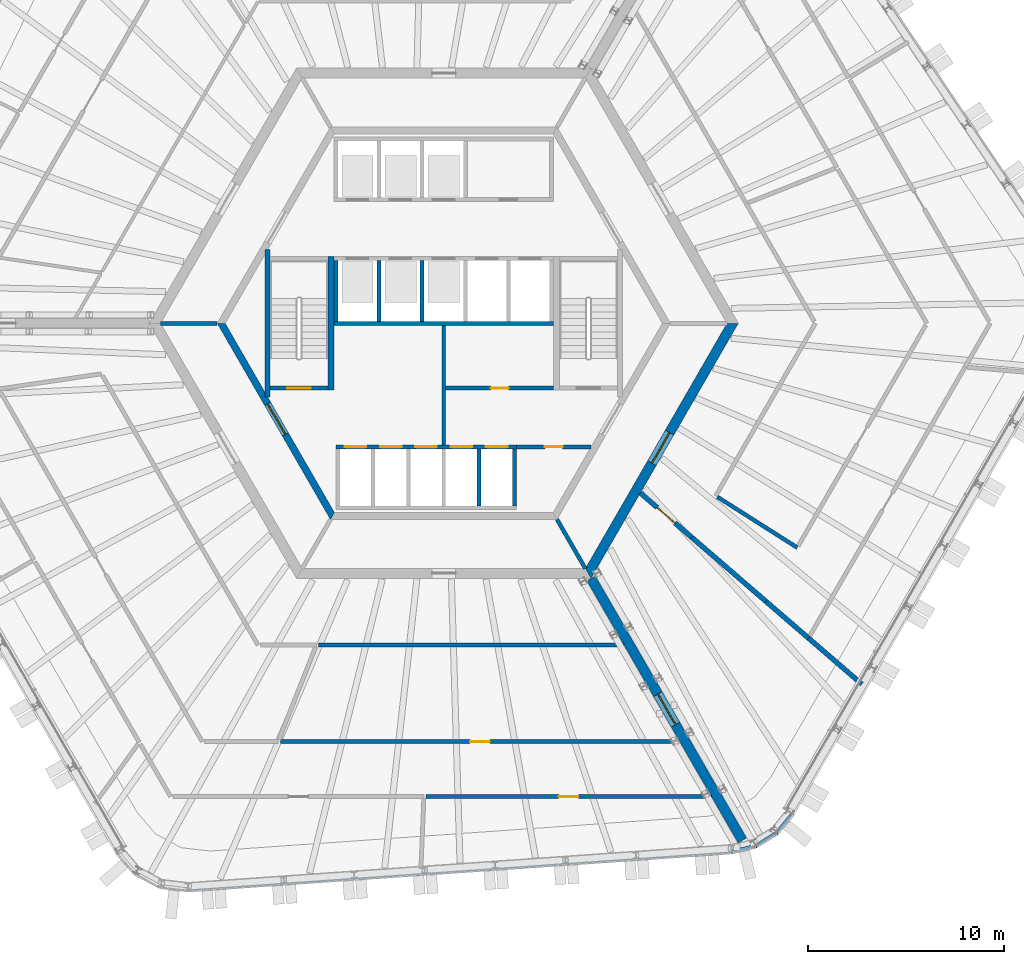
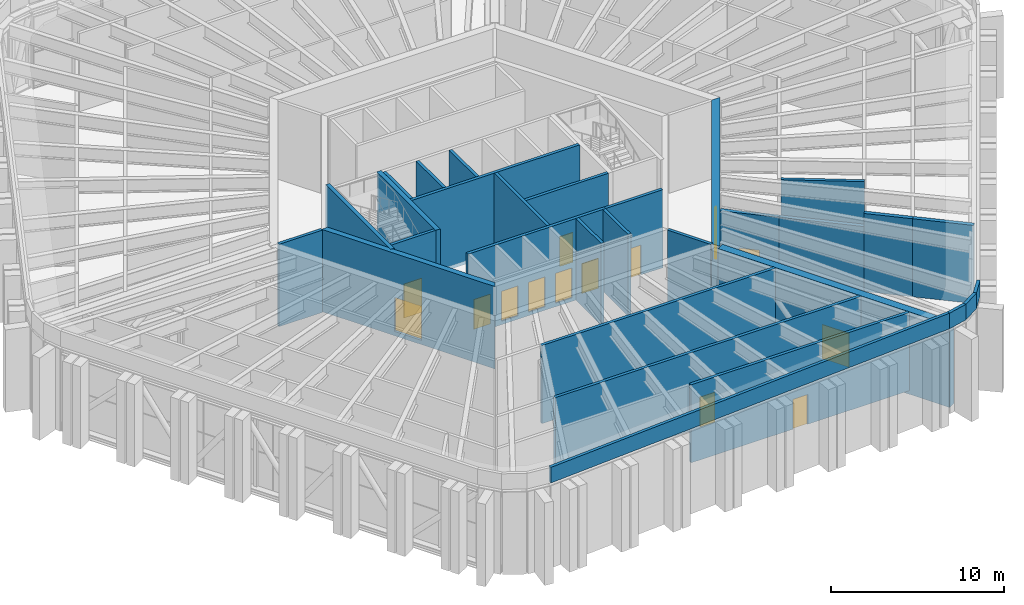
# One storey, part 12 of 24: 30 walls, 14 doors, 14 openings.
"""IFC4 building model written with IfcOpenShell, lengths in metres."""

from ifc_helpers import new_model, si_unit, direction, frame, frame_2d, origin, place, context, subcontext, project, spatial, polyline, rectangle, outline, extrude, material, layer, layer_set, type_object, element, fill, save


model = new_model("IFC4")

# Units and contexts
model_context = context("Model", 3, precision=1e-05, world=origin(), true_north=direction((0.0, 1.0)))
body_context = subcontext(model_context, "Body", "Model", "MODEL_VIEW")
ifc_project = project(units=[si_unit("LENGTHUNIT", "METRE"), si_unit("AREAUNIT", "SQUARE_METRE"), si_unit("VOLUMEUNIT", "CUBIC_METRE"), si_unit("PLANEANGLEUNIT", "RADIAN"), si_unit("MASSUNIT", "GRAM", prefix="KILO")], contexts=[model_context])

# Site, building, storey
site_placement = place(None, origin())
site = spatial("IfcSite", under=ifc_project, at=site_placement, CompositionType="ELEMENT")
building_placement = place(site_placement, origin())
building = spatial("IfcBuilding", under=site, at=building_placement, Name="Tarnside Tower", CompositionType="ELEMENT")
storey_placement = place(building_placement, frame((0.0, 0.0, 250.199951171875)))
storey = spatial("IfcBuildingStorey", under=building, at=storey_placement, Name="L60", CompositionType="ELEMENT", Elevation=250.199951171875)

# Wall, opening, door
ifc_material_1 = material(Name="Concrete C50/60", Category="concrete")
ifc_layer_1 = layer(ifc_material_1, 0.35009765625)
ifc_layer_set_1 = layer_set([ifc_layer_1], Name="Core block wall 350 C50/60")
wall_type_1 = type_object("IfcWallType", Name="Core block wall 350 C50/60", PredefinedType="SHEAR", material=ifc_layer_set_1)
wall_1_placement = place(storey_placement, frame((-11.344970703125, 0.0, -0.300048828125), z_axis=(0.0, 0.0, 1.0), x_axis=(0.499995046907, -0.866028263435, 0.0)))
wall_1 = element("IfcWall", 1, at=wall_1_placement, inside=storey, type_object=wall_type_1, Name="L60 core block wall face 3", PredefinedType="SHEAR", context=body_context, shape_type="SweptSolid", body=[
    extrude(outline(polyline([(-0.10107421875, -0.175048828125), (11.44580078125, -0.175048828125), (11.24365234375, 0.175048828125), (0.10107421875, 0.175048828125), (-0.10107421875, -0.175048828125)])), origin(), (0.0, 0.0, 1.0), 5.800048828125),
])
opening_1_placement = place(wall_1_placement, frame((4.74365234375, 0.0, 0.300048828125)))
opening_1 = element("IfcOpeningElement", 2, at=opening_1_placement, cuts=wall_1, Name="Opening CD-FFL", PredefinedType="OPENING", context=body_context, shape_type="SweptSolid", body=[
    extrude(rectangle(XDim=1.800048828125, YDim=2.39990234375, at=frame_2d((0.89990234375, 1.199951171875))), frame((0.0, 0.18505859375, 0.0), z_axis=(0.0, -1.0, 0.0), x_axis=(1.0, 0.0, 0.0)), (0.0, 0.0, 1.0), 0.3701171875),
])
ifc_material_2 = material(Name="Steel fire door", Category="steel")
door_type_1 = type_object("IfcDoorType", Name="Firefighting lobby double door FD60S 1800x2400", OperationType="NOTDEFINED", PredefinedType="DOOR", material=ifc_material_2)
door_1_placement = place(opening_1_placement, origin())
door_1 = element("IfcDoor", 3, at=door_1_placement, inside=storey, type_object=door_type_1, Name="L60 lobby block door P3", OperationType="DOUBLE_DOOR_SINGLE_SWING", OverallHeight=2.39990234375, OverallWidth=1.800048828125, PredefinedType="DOOR", context=body_context, shape_type="SweptSolid", body=[
    extrude(rectangle(XDim=1.800048828125, YDim=2.39990234375, at=frame_2d((0.89990234375, 1.199951171875))), frame((0.0, 0.02490234375, 0.0), z_axis=(0.0, -1.0, 0.0), x_axis=(1.0, 0.0, 0.0)), (0.0, 0.0, 1.0), 0.050048828125),
])
fill(opening_1, door_1)

ifc_material_3 = material(Name="Concrete C40/50", Category="concrete")
ifc_layer_2 = layer(ifc_material_3, 0.199951171875)
ifc_layer_set_2 = layer_set([ifc_layer_2], Name="Core room partition 200 C40/50")
wall_type_2 = type_object("IfcWallType", Name="Core room partition 200 C40/50", PredefinedType="PARTITIONING", material=ifc_layer_set_2)
wall_2_placement = place(storey_placement, frame((0.10009765625, -3.300048828125, 0.0), z_axis=(0.0, 0.0, 1.0), x_axis=(1.0, 0.0, 0.0)))
wall_2 = element("IfcWall", 4, at=wall_2_placement, inside=storey, type_object=wall_type_2, Name="L60 core partition R3S1", PredefinedType="PARTITIONING", context=body_context, shape_type="SweptSolid", body=[
    extrude(rectangle(XDim=5.5, YDim=0.199951171875, at=frame_2d((2.75, 0.0))), origin(), (0.0, 0.0, 1.0), 5.5),
])
opening_2_placement = place(wall_2_placement, frame((2.300048828125, 0.0, 0.0)))
opening_2 = element("IfcOpeningElement", 5, at=opening_2_placement, cuts=wall_2, Name="Opening CD-room", PredefinedType="OPENING", context=body_context, shape_type="SweptSolid", body=[
    extrude(rectangle(XDim=0.89990234375, YDim=2.10009765625, at=frame_2d((0.449951171875, 1.050048828125))), frame((0.0, 0.10986328125, 0.0), z_axis=(0.0, -1.0, 0.0), x_axis=(1.0, 0.0, 0.0)), (0.0, 0.0, 1.0), 0.219970703125),
])
door_type_2 = type_object("IfcDoorType", Name="Room door FD60 900x2100", OperationType="NOTDEFINED", PredefinedType="DOOR", material=ifc_material_2)
door_2_placement = place(opening_2_placement, origin())
door_2 = element("IfcDoor", 6, at=door_2_placement, inside=storey, type_object=door_type_2, Name="L60 core room door SR1", OperationType="SINGLE_SWING_LEFT", OverallHeight=2.10009765625, OverallWidth=0.89990234375, PredefinedType="DOOR", context=body_context, shape_type="SweptSolid", body=[
    extrude(rectangle(XDim=0.89990234375, YDim=2.10009765625, at=frame_2d((0.449951171875, 1.050048828125))), frame((0.0, 0.02490234375, 0.0), z_axis=(0.0, -1.0, 0.0), x_axis=(1.0, 0.0, 0.0)), (0.0, 0.0, 1.0), 0.050048828125),
])
fill(opening_2, door_2)

# Wall
wall_3_placement = place(storey_placement, frame((0.0, -6.199951171875, 0.0), z_axis=(0.0, 0.0, 1.0), x_axis=(0.0, 1.0, 0.0)))
element("IfcWall", 7, at=wall_3_placement, inside=storey, type_object=wall_type_2, Name="L60 core partition X0", PredefinedType="PARTITIONING", context=body_context, shape_type="SweptSolid", body=[
    extrude(rectangle(XDim=6.099853515625, YDim=0.199951171875, at=frame_2d((3.0498046875, 0.0))), origin(), (0.0, 0.0, 1.0), 5.5),
])

# Wall, opening, door
wall_4_placement = place(storey_placement, frame((3.699951171875, -6.300048828125, 0.0), z_axis=(0.0, 0.0, 1.0), x_axis=(1.0, 0.0, 0.0)))
wall_4 = element("IfcWall", 8, at=wall_4_placement, inside=storey, type_object=wall_type_2, Name="L60 core partition R4X", PredefinedType="PARTITIONING", context=body_context, shape_type="SweptSolid", body=[
    extrude(rectangle(XDim=3.8056640625, YDim=0.199951171875, at=frame_2d((1.90283203125, 0.0))), origin(), (0.0, 0.0, 1.0), 5.5),
])
opening_3_placement = place(wall_4_placement, frame((1.452880859375, 0.0, 0.0)))
opening_3 = element("IfcOpeningElement", 9, at=opening_3_placement, cuts=wall_4, Name="Opening CD-room", PredefinedType="OPENING", context=body_context, shape_type="SweptSolid", body=[
    extrude(rectangle(XDim=0.89990234375, YDim=2.10009765625, at=frame_2d((0.449951171875, 1.050048828125))), frame((0.0, 0.10986328125, 0.0), z_axis=(0.0, -1.0, 0.0), x_axis=(1.0, 0.0, 0.0)), (0.0, 0.0, 1.0), 0.219970703125),
])
door_3_placement = place(opening_3_placement, origin())
door_3 = element("IfcDoor", 10, at=door_3_placement, inside=storey, type_object=door_type_2, Name="L60 core room door RX", OperationType="SINGLE_SWING_LEFT", OverallHeight=2.10009765625, OverallWidth=0.89990234375, PredefinedType="DOOR", context=body_context, shape_type="SweptSolid", body=[
    extrude(rectangle(XDim=0.89990234375, YDim=2.10009765625, at=frame_2d((0.449951171875, 1.050048828125))), frame((0.0, 0.02490234375, 0.0), z_axis=(0.0, -1.0, 0.0), x_axis=(1.0, 0.0, 0.0)), (0.0, 0.0, 1.0), 0.050048828125),
])
fill(opening_3, door_3)

ifc_material_4 = material(Name="Concrete C70/85", Category="concrete")
ifc_layer_3 = layer(ifc_material_4, 0.5)
ifc_layer_set_3 = layer_set([ifc_layer_3], Name="Core wall Z2 500 C70/85")
wall_type_3 = type_object("IfcWallType", Name="Core wall Z2 500 C70/85", PredefinedType="SHEAR", material=ifc_layer_set_3)
wall_5_placement = place(storey_placement, frame((7.361083984375, -12.75, -0.300048828125), z_axis=(0.0, 0.0, 1.0), x_axis=(0.50000571537, 0.866022103989, 0.0)))
wall_5 = element("IfcWall", 11, at=wall_5_placement, inside=storey, type_object=wall_type_3, Name="L60 core wall face 5", PredefinedType="SHEAR", context=body_context, shape_type="SweptSolid", body=[
    extrude(outline(polyline([(-0.144287109375, -0.25), (14.86669921875, -0.25), (14.578125, 0.25), (0.144287109375, 0.25), (-0.144287109375, -0.25)])), origin(), (0.0, 0.0, 1.0), 5.800048828125),
])
opening_4_placement = place(wall_5_placement, frame((6.489990234375, 0.0, 0.300048828125)))
opening_4 = element("IfcOpeningElement", 12, at=opening_4_placement, cuts=wall_5, Name="Opening CD-FFL", PredefinedType="OPENING", context=body_context, shape_type="SweptSolid", body=[
    extrude(rectangle(XDim=1.800048828125, YDim=2.39990234375, at=frame_2d((0.89990234375, 1.199951171875))), frame((0.0, 0.260009765625, 0.0), z_axis=(0.0, -1.0, 0.0), x_axis=(1.0, 0.0, 0.0)), (0.0, 0.0, 1.0), 0.52001953125),
])
door_4_placement = place(opening_4_placement, origin())
door_4 = element("IfcDoor", 13, at=door_4_placement, inside=storey, type_object=door_type_1, Name="L60 core door P4", OperationType="DOUBLE_DOOR_SINGLE_SWING", OverallHeight=2.39990234375, OverallWidth=1.800048828125, PredefinedType="DOOR", context=body_context, shape_type="SweptSolid", body=[
    extrude(rectangle(XDim=1.800048828125, YDim=2.39990234375, at=frame_2d((0.89990234375, 1.199951171875))), frame((0.0, 0.02490234375, 0.0), z_axis=(0.0, -1.0, 0.0), x_axis=(1.0, 0.0, 0.0)), (0.0, 0.0, 1.0), 0.050048828125),
])
fill(opening_4, door_4)

wall_6_placement = place(storey_placement, frame((7.505615234375, -13.0, -0.300048828125), z_axis=(0.0, 0.0, 1.0), x_axis=(0.499988271576, -0.866032175087, 0.0)))
wall_6 = element("IfcWall", 14, at=wall_6_placement, inside=storey, type_object=wall_type_3, Name="L60 spine wall 3", PredefinedType="SHEAR", context=body_context, shape_type="SweptSolid", body=[
    extrude(rectangle(XDim=15.423583984375, YDim=0.5, at=frame_2d((7.7119140625, 0.0))), origin(), (0.0, 0.0, 1.0), 5.800048828125),
])
opening_5_placement = place(wall_6_placement, frame((6.811767578125, 0.0, 0.300048828125)))
opening_5 = element("IfcOpeningElement", 15, at=opening_5_placement, cuts=wall_6, Name="Opening CD-SPN", PredefinedType="OPENING", context=body_context, shape_type="SweptSolid", body=[
    extrude(rectangle(XDim=1.800048828125, YDim=2.39990234375, at=frame_2d((0.89990234375, 1.199951171875))), frame((0.0, 0.260009765625, 0.0), z_axis=(0.0, -1.0, 0.0), x_axis=(1.0, 0.0, 0.0)), (0.0, 0.0, 1.0), 0.52001953125),
])
door_type_3 = type_object("IfcDoorType", Name="Spine passage double door FD60 1800x2400", OperationType="NOTDEFINED", PredefinedType="DOOR", material=ifc_material_2)
door_5_placement = place(opening_5_placement, origin())
door_5 = element("IfcDoor", 16, at=door_5_placement, inside=storey, type_object=door_type_3, Name="L60 spine passage door 3", OperationType="DOUBLE_DOOR_SINGLE_SWING", OverallHeight=2.39990234375, OverallWidth=1.800048828125, PredefinedType="DOOR", context=body_context, shape_type="SweptSolid", body=[
    extrude(rectangle(XDim=1.800048828125, YDim=2.39990234375, at=frame_2d((0.89990234375, 1.199951171875))), frame((0.0, 0.02490234375, 0.0), z_axis=(0.0, -1.0, 0.0), x_axis=(1.0, 0.0, 0.0)), (0.0, 0.0, 1.0), 0.050048828125),
])
fill(opening_5, door_5)

# Walls
ifc_layer_4 = layer(ifc_material_3, 0.199951171875)
ifc_layer_set_4 = layer_set([ifc_layer_4], Name="Lift shaft wall 200 C40/50")
wall_type_4 = type_object("IfcWallType", Name="Lift shaft wall 200 C40/50", PredefinedType="SHEAR", material=ifc_layer_set_4)
wall_7_placement = place(storey_placement, frame((-5.60009765625, 0.0, -0.25), z_axis=(0.0, 0.0, 1.0), x_axis=(1.0, 0.0, 0.0)))
element("IfcWall", 17, at=wall_7_placement, inside=storey, type_object=wall_type_4, Name="L60 lift shaft back wall R2", PredefinedType="SHEAR", context=body_context, shape_type="SweptSolid", body=[
    extrude(rectangle(XDim=11.2001953125, YDim=0.199951171875, at=frame_2d((5.60009765625, 0.0))), origin(), (0.0, 0.0, 1.0), 5.75),
])
for number, where, z_axis, x_axis, name in (
    (18, (-5.5, 0.10009765625, -0.25), (0.0, 0.0, 1.0), (0.0, 1.0, 0.0), "L60 lift shaft partition R21"),
    (19, (-3.300048828125, 0.10009765625, -0.25), (0.0, 0.0, 1.0), (0.0, 1.0, 0.0), "L60 lift shaft partition R22"),
    (20, (-1.10009765625, 0.10009765625, -0.25), (0.0, 0.0, 1.0), (0.0, 1.0, 0.0), "L60 lift shaft partition R23"),
):
    element("IfcWall", number, at=place(storey_placement, frame(where, z_axis=z_axis, x_axis=x_axis)), inside=storey, type_object=wall_type_4, Name=name, PredefinedType="SHEAR", context=body_context, shape_type="SweptSolid", body=[
        extrude(rectangle(XDim=3.099853515625, YDim=0.199951171875, at=frame_2d((1.5498046875, 0.0))), origin(), (0.0, 0.0, 1.0), 5.75),
    ])

# Wall, openings, doors
wall_8_placement = place(storey_placement, frame((-5.5, -6.300048828125, -0.25), z_axis=(0.0, 0.0, 1.0), x_axis=(1.0, 0.0, 0.0)))
wall_8 = element("IfcWall", 21, at=wall_8_placement, inside=storey, type_object=wall_type_4, Name="L60 lift shaft front wall R4", PredefinedType="SHEAR", context=body_context, shape_type="SweptSolid", body=[
    extrude(rectangle(XDim=9.199951171875, YDim=0.199951171875, at=frame_2d((4.60009765625, 0.0))), origin(), (0.0, 0.0, 1.0), 5.75),
])
opening_6_placement = place(wall_8_placement, frame((0.449951171875, 0.0, 0.25)))
opening_6 = element("IfcOpeningElement", 22, at=opening_6_placement, cuts=wall_8, Name="Opening LDF", PredefinedType="OPENING", context=body_context, shape_type="SweptSolid", body=[
    extrude(rectangle(XDim=1.10009765625, YDim=2.10009765625, at=frame_2d((0.550048828125, 1.050048828125))), frame((0.0, 0.10986328125, 0.0), z_axis=(0.0, -1.0, 0.0), x_axis=(1.0, 0.0, 0.0)), (0.0, 0.0, 1.0), 0.219970703125),
])
opening_7_placement = place(wall_8_placement, frame((2.25, 0.0, 0.25)))
opening_7 = element("IfcOpeningElement", 23, at=opening_7_placement, cuts=wall_8, Name="Opening LDF", PredefinedType="OPENING", context=body_context, shape_type="SweptSolid", body=[
    extrude(rectangle(XDim=1.10009765625, YDim=2.10009765625, at=frame_2d((0.550048828125, 1.050048828125))), frame((0.0, 0.10986328125, 0.0), z_axis=(0.0, -1.0, 0.0), x_axis=(1.0, 0.0, 0.0)), (0.0, 0.0, 1.0), 0.219970703125),
])
opening_8_placement = place(wall_8_placement, frame((4.050048828125, 0.0, 0.25)))
opening_8 = element("IfcOpeningElement", 24, at=opening_8_placement, cuts=wall_8, Name="Opening LDF", PredefinedType="OPENING", context=body_context, shape_type="SweptSolid", body=[
    extrude(rectangle(XDim=1.10009765625, YDim=2.10009765625, at=frame_2d((0.550048828125, 1.050048828125))), frame((0.0, 0.10986328125, 0.0), z_axis=(0.0, -1.0, 0.0), x_axis=(1.0, 0.0, 0.0)), (0.0, 0.0, 1.0), 0.219970703125),
])
opening_9_placement = place(wall_8_placement, frame((5.85009765625, 0.0, 0.25)))
opening_9 = element("IfcOpeningElement", 25, at=opening_9_placement, cuts=wall_8, Name="Opening LDF", PredefinedType="OPENING", context=body_context, shape_type="SweptSolid", body=[
    extrude(rectangle(XDim=1.10009765625, YDim=2.10009765625, at=frame_2d((0.550048828125, 1.050048828125))), frame((0.0, 0.10986328125, 0.0), z_axis=(0.0, -1.0, 0.0), x_axis=(1.0, 0.0, 0.0)), (0.0, 0.0, 1.0), 0.219970703125),
])
opening_10_placement = place(wall_8_placement, frame((7.64990234375, 0.0, 0.25)))
opening_10 = element("IfcOpeningElement", 26, at=opening_10_placement, cuts=wall_8, Name="Opening LDF", PredefinedType="OPENING", context=body_context, shape_type="SweptSolid", body=[
    extrude(rectangle(XDim=1.10009765625, YDim=2.10009765625, at=frame_2d((0.550048828125, 1.050048828125))), frame((0.0, 0.10986328125, 0.0), z_axis=(0.0, -1.0, 0.0), x_axis=(1.0, 0.0, 0.0)), (0.0, 0.0, 1.0), 0.219970703125),
])
ifc_material_5 = material(Name="Stainless steel", Category="steel")
door_type_4 = type_object("IfcDoorType", Name="Lift landing door 1100x2100 EI 120", OperationType="NOTDEFINED", PredefinedType="DOOR", material=ifc_material_5)
door_6_placement = place(opening_6_placement, origin())
door_6 = element("IfcDoor", 27, at=door_6_placement, inside=storey, type_object=door_type_4, Name="Firefighting lift 1 landing door L60", OperationType="SLIDING_TO_LEFT", OverallHeight=2.10009765625, OverallWidth=1.10009765625, PredefinedType="DOOR", context=body_context, shape_type="SweptSolid", body=[
    extrude(rectangle(XDim=1.10009765625, YDim=2.10009765625, at=frame_2d((0.550048828125, 1.050048828125))), frame((0.0, 0.02490234375, 0.0), z_axis=(0.0, -1.0, 0.0), x_axis=(1.0, 0.0, 0.0)), (0.0, 0.0, 1.0), 0.050048828125),
])
fill(opening_6, door_6)
door_7_placement = place(opening_7_placement, origin())
door_7 = element("IfcDoor", 28, at=door_7_placement, inside=storey, type_object=door_type_4, Name="Firefighting lift 2 landing door L60", OperationType="SLIDING_TO_LEFT", OverallHeight=2.10009765625, OverallWidth=1.10009765625, PredefinedType="DOOR", context=body_context, shape_type="SweptSolid", body=[
    extrude(rectangle(XDim=1.10009765625, YDim=2.10009765625, at=frame_2d((0.550048828125, 1.050048828125))), frame((0.0, 0.02490234375, 0.0), z_axis=(0.0, -1.0, 0.0), x_axis=(1.0, 0.0, 0.0)), (0.0, 0.0, 1.0), 0.050048828125),
])
fill(opening_7, door_7)
door_8_placement = place(opening_8_placement, origin())
door_8 = element("IfcDoor", 29, at=door_8_placement, inside=storey, type_object=door_type_4, Name="Firefighting lift 3 landing door L60", OperationType="SLIDING_TO_LEFT", OverallHeight=2.10009765625, OverallWidth=1.10009765625, PredefinedType="DOOR", context=body_context, shape_type="SweptSolid", body=[
    extrude(rectangle(XDim=1.10009765625, YDim=2.10009765625, at=frame_2d((0.550048828125, 1.050048828125))), frame((0.0, 0.02490234375, 0.0), z_axis=(0.0, -1.0, 0.0), x_axis=(1.0, 0.0, 0.0)), (0.0, 0.0, 1.0), 0.050048828125),
])
fill(opening_8, door_8)
door_9_placement = place(opening_9_placement, origin())
door_9 = element("IfcDoor", 30, at=door_9_placement, inside=storey, type_object=door_type_4, Name="Firefighting lift 4 landing door L60", OperationType="SLIDING_TO_LEFT", OverallHeight=2.10009765625, OverallWidth=1.10009765625, PredefinedType="DOOR", context=body_context, shape_type="SweptSolid", body=[
    extrude(rectangle(XDim=1.10009765625, YDim=2.10009765625, at=frame_2d((0.550048828125, 1.050048828125))), frame((0.0, 0.02490234375, 0.0), z_axis=(0.0, -1.0, 0.0), x_axis=(1.0, 0.0, 0.0)), (0.0, 0.0, 1.0), 0.050048828125),
])
fill(opening_9, door_9)
door_10_placement = place(opening_10_placement, origin())
door_10 = element("IfcDoor", 31, at=door_10_placement, inside=storey, type_object=door_type_4, Name="Firefighting lift 5 landing door L60", OperationType="SLIDING_TO_LEFT", OverallHeight=2.10009765625, OverallWidth=1.10009765625, PredefinedType="DOOR", context=body_context, shape_type="SweptSolid", body=[
    extrude(rectangle(XDim=1.10009765625, YDim=2.10009765625, at=frame_2d((0.550048828125, 1.050048828125))), frame((0.0, 0.02490234375, 0.0), z_axis=(0.0, -1.0, 0.0), x_axis=(1.0, 0.0, 0.0)), (0.0, 0.0, 1.0), 0.050048828125),
])
fill(opening_10, door_10)

# Walls
for number, where, z_axis, x_axis, name in (
    (32, (1.800048828125, -9.300048828125, -0.25), (0.0, 0.0, 1.0), (0.0, 1.0, 0.0), "L60 lift shaft partition R45"),
    (33, (3.60009765625, -9.300048828125, -0.25), (0.0, 0.0, 1.0), (0.0, 1.0, 0.0), "L60 lift shaft partition R46"),
):
    element("IfcWall", number, at=place(storey_placement, frame(where, z_axis=z_axis, x_axis=x_axis)), inside=storey, type_object=wall_type_4, Name=name, PredefinedType="SHEAR", context=body_context, shape_type="SweptSolid", body=[
        extrude(rectangle(XDim=2.900146484375, YDim=0.199951171875, at=frame_2d((1.4501953125, 0.0))), origin(), (0.0, 0.0, 1.0), 5.75),
    ])
for number, where, z_axis, x_axis, name in (
    (34, (-11.547119140625, 0.0, -0.300048828125), (0.0, 0.0, 1.0), (-1.0, 0.0, 0.0), "L60 core partition AR180"),
    (35, (5.7734375, -10.0, -0.300048828125), (0.0, 0.0, 1.0), (0.499995765644, -0.866027848477, 0.0), "L60 core partition AR300"),
):
    element("IfcWall", number, at=place(storey_placement, frame(where, z_axis=z_axis, x_axis=x_axis)), inside=storey, type_object=wall_type_4, Name=name, PredefinedType="SHEAR", context=body_context, shape_type="SweptSolid", body=[
        extrude(rectangle(XDim=2.88671875, YDim=0.199951171875, at=frame_2d((1.443359375, 0.0))), origin(), (0.0, 0.0, 1.0), 5.800048828125),
    ])

# Wall, opening, door
wall_9_placement = place(storey_placement, frame((-8.85009765625, -3.300048828125, -0.25), z_axis=(0.0, 0.0, 1.0), x_axis=(1.0, 0.0, 0.0)))
wall_9 = element("IfcWall", 36, at=wall_9_placement, inside=storey, type_object=wall_type_4, Name="L60 stair 2 enclosure cap wall s", PredefinedType="SHEAR", context=body_context, shape_type="SweptSolid", body=[
    extrude(rectangle(XDim=2.9501953125, YDim=0.199951171875, at=frame_2d((1.47509765625, 0.0))), origin(), (0.0, 0.0, 1.0), 5.75),
])
opening_11_placement = place(wall_9_placement, frame((0.875, 0.0, 0.25)))
opening_11 = element("IfcOpeningElement", 37, at=opening_11_placement, cuts=wall_9, Name="Opening CD-STR", PredefinedType="OPENING", context=body_context, shape_type="SweptSolid", body=[
    extrude(rectangle(XDim=1.199951171875, YDim=2.39990234375, at=frame_2d((0.60009765625, 1.199951171875))), frame((0.0, 0.10986328125, 0.0), z_axis=(0.0, -1.0, 0.0), x_axis=(1.0, 0.0, 0.0)), (0.0, 0.0, 1.0), 0.219970703125),
])
door_type_5 = type_object("IfcDoorType", Name="Stair door FD60S 1200x2400", OperationType="NOTDEFINED", PredefinedType="DOOR", material=ifc_material_2)
door_11_placement = place(opening_11_placement, origin())
door_11 = element("IfcDoor", 38, at=door_11_placement, inside=storey, type_object=door_type_5, Name="L60 stair 2 door", OperationType="SINGLE_SWING_LEFT", OverallHeight=2.39990234375, OverallWidth=1.199951171875, PredefinedType="DOOR", context=body_context, shape_type="SweptSolid", body=[
    extrude(rectangle(XDim=1.199951171875, YDim=2.39990234375, at=frame_2d((0.60009765625, 1.199951171875))), frame((0.0, 0.02490234375, 0.0), z_axis=(0.0, -1.0, 0.0), x_axis=(1.0, 0.0, 0.0)), (0.0, 0.0, 1.0), 0.050048828125),
])
fill(opening_11, door_11)

# Walls
ifc_material_6 = material(Name="Concrete C35/45 precast", Category="concrete")
ifc_layer_5 = layer(ifc_material_6, 0.199951171875)
ifc_layer_set_5 = layer_set([ifc_layer_5], Name="Parapet 200 x 1100")
wall_type_5 = type_object("IfcWallType", Name="Parapet 200 x 1100", PredefinedType="PARAPET", material=ifc_layer_set_5)
wall_10_placement = place(storey_placement, frame((17.78564453125, -24.994384765625, 5.699951171875), z_axis=(0.0, 0.0, 1.0), x_axis=(-0.633822610937, -0.773478440466, 0.0)))
element("IfcWall", 39, at=wall_10_placement, inside=storey, type_object=wall_type_5, Name="Roof parapet 09", PredefinedType="PARAPET", context=body_context, shape_type="SweptSolid", body=[
    extrude(outline(polyline([(0.008056640625, -0.10009765625), (1.25634765625, -0.10009765625), (1.2890625, 0.10009765625), (-0.008056640625, 0.10009765625), (0.008056640625, -0.10009765625)])), origin(), (0.0, 0.0, 1.0), 1.10009765625),
])
wall_11_placement = place(storey_placement, frame((16.97900390625, -25.978759765625, 5.699951171875), z_axis=(0.0, 0.0, 1.0), x_axis=(-0.848052526064, -0.529912174834, 0.0)))
element("IfcWall", 40, at=wall_11_placement, inside=storey, type_object=wall_type_5, Name="Roof parapet 10", PredefinedType="PARAPET", context=body_context, shape_type="SweptSolid", body=[
    extrude(outline(polyline([(0.016357421875, -0.10009765625), (1.248291015625, -0.10009765625), (1.281005859375, 0.10009765625), (-0.016357421875, 0.10009765625), (0.016357421875, -0.10009765625)])), origin(), (0.0, 0.0, 1.0), 1.10009765625),
])
wall_12_placement = place(storey_placement, frame((15.906494140625, -26.64892578125, 5.699951171875), z_axis=(0.0, 0.0, 1.0), x_axis=(-0.97305877523, -0.230557194525, 0.0)))
element("IfcWall", 41, at=wall_12_placement, inside=storey, type_object=wall_type_5, Name="Roof parapet 11", PredefinedType="PARAPET", context=body_context, shape_type="SweptSolid", body=[
    extrude(outline(polyline([(0.016357421875, -0.10009765625), (1.2646484375, -0.10009765625), (1.28076171875, 0.10009765625), (-0.016357421875, 0.10009765625), (0.016357421875, -0.10009765625)])), origin(), (0.0, 0.0, 1.0), 1.10009765625),
])
wall_13_placement = place(storey_placement, frame((14.66796875, -26.9423828125, 5.699951171875), z_axis=(0.0, 0.0, 1.0), x_axis=(-0.997564089626, -0.069755910774, 0.0)))
element("IfcWall", 42, at=wall_13_placement, inside=storey, type_object=wall_type_5, Name="Roof parapet 12", PredefinedType="PARAPET", context=body_context, shape_type="SweptSolid", body=[
    extrude(outline(polyline([(0.008056640625, -0.10009765625), (27.731201171875, -0.10009765625), (27.749755859375, 0.10009765625), (-0.008056640625, 0.10009765625), (0.008056640625, -0.10009765625)])), origin(), (0.0, 0.0, 1.0), 1.10009765625),
])
ifc_layer_6 = layer(ifc_material_3, 0.25)
ifc_layer_set_6 = layer_set([ifc_layer_6], Name="Stair enclosure wall 250 C40/50")
wall_type_6 = type_object("IfcWallType", Name="Stair enclosure wall 250 C40/50", PredefinedType="SHEAR", material=ifc_layer_set_6)
wall_14_placement = place(storey_placement, frame((-8.97509765625, -3.7548828125, -0.25), z_axis=(0.0, 0.0, 1.0), x_axis=(0.0, 1.0, 0.0)))
element("IfcWall", 43, at=wall_14_placement, inside=storey, type_object=wall_type_6, Name="L60 stair 2 enclosure wall outer", PredefinedType="SHEAR", context=body_context, shape_type="SweptSolid", body=[
    extrude(rectangle(XDim=7.509765625, YDim=0.25, at=frame_2d((3.7548828125, 0.0))), origin(), (0.0, 0.0, 1.0), 5.75),
])
ifc_layer_7 = layer(ifc_material_3, 0.300048828125)
ifc_layer_set_7 = layer_set([ifc_layer_7], Name="Stair enclosure wall 300 C40/50")
wall_type_7 = type_object("IfcWallType", Name="Stair enclosure wall 300 C40/50", PredefinedType="SHEAR", material=ifc_layer_set_7)
wall_15_placement = place(storey_placement, frame((-5.75, -3.39990234375, -0.25), z_axis=(0.0, 0.0, 1.0), x_axis=(0.0, 1.0, 0.0)))
element("IfcWall", 44, at=wall_15_placement, inside=storey, type_object=wall_type_7, Name="L60 stair 2 enclosure wall inner", PredefinedType="SHEAR", context=body_context, shape_type="SweptSolid", body=[
    extrude(rectangle(XDim=6.7998046875, YDim=0.300048828125, at=frame_2d((3.39990234375, 0.0))), origin(), (0.0, 0.0, 1.0), 5.75),
])
ifc_material_7 = material(Name="Concrete C32/40", Category="concrete")
ifc_layer_8 = layer(ifc_material_7, 0.199951171875)
ifc_layer_set_8 = layer_set([ifc_layer_8], Name="Wall 200 reinforced Concrete C32/40")
wall_type_8 = type_object("IfcWallType", Name="Wall 200 reinforced Concrete C32/40", PredefinedType="PARTITIONING", material=ifc_layer_set_8)
wall_16_placement = place(storey_placement, frame((-6.385498046875, -16.39990234375, 0.0), z_axis=(0.0, 0.0, 1.0), x_axis=(1.0, 0.0, 0.0)))
element("IfcWall", 45, at=wall_16_placement, inside=storey, type_object=wall_type_8, Name="Partition 030", PredefinedType="PARTITIONING", context=body_context, shape_type="SweptSolid", body=[
    extrude(rectangle(XDim=15.5654296875, YDim=0.199951171875, at=frame_2d((7.78271484375, 0.0))), origin(), (0.0, 0.0, 1.0), 5.5),
])

# Wall, opening, door
wall_17_placement = place(storey_placement, frame((13.636962890625, -24.1201171875, 0.0), z_axis=(0.0, 0.0, 1.0), x_axis=(-1.0, 0.0, 0.0)))
wall_17 = element("IfcWall", 46, at=wall_17_placement, inside=storey, type_object=wall_type_8, Name="Partition 032", PredefinedType="PARTITIONING", context=body_context, shape_type="SweptSolid", body=[
    extrude(rectangle(XDim=14.5478515625, YDim=0.199951171875, at=frame_2d((7.27392578125, 0.0))), origin(), (0.0, 0.0, 1.0), 5.5),
])
opening_12_placement = place(wall_17_placement, frame((6.77392578125, 0.0, 0.0)))
opening_12 = element("IfcOpeningElement", 47, at=opening_12_placement, cuts=wall_17, Name="Opening D1000F60", PredefinedType="OPENING", context=body_context, shape_type="SweptSolid", body=[
    extrude(rectangle(XDim=1.0, YDim=2.10009765625, at=frame_2d((0.5, 1.050048828125))), frame((0.0, 0.10986328125, 0.0), z_axis=(0.0, -1.0, 0.0), x_axis=(1.0, 0.0, 0.0)), (0.0, 0.0, 1.0), 0.219970703125),
])
ifc_material_8 = material(Name="Timber door leaf", Category="wood")
door_type_6 = type_object("IfcDoorType", Name="Door 1000 x 2100 single leaf FD60 fire door", OperationType="NOTDEFINED", PredefinedType="DOOR", material=ifc_material_8)
door_12_placement = place(opening_12_placement, origin())
door_12 = element("IfcDoor", 48, at=door_12_placement, inside=storey, type_object=door_type_6, Name="Door L60-12", OperationType="SINGLE_SWING_LEFT", OverallHeight=2.10009765625, OverallWidth=1.0, PredefinedType="DOOR", context=body_context, shape_type="SweptSolid", body=[
    extrude(rectangle(XDim=1.0, YDim=2.10009765625, at=frame_2d((0.5, 1.050048828125))), frame((0.0, 0.02490234375, 0.0), z_axis=(0.0, -1.0, 0.0), x_axis=(1.0, 0.0, 0.0)), (0.0, 0.0, 1.0), 0.050048828125),
])
fill(opening_12, door_12)

wall_18_placement = place(storey_placement, frame((-8.33349609375, -21.320068359375, 0.0), z_axis=(0.0, 0.0, 1.0), x_axis=(1.0, 0.0, 0.0)))
wall_18 = element("IfcWall", 49, at=wall_18_placement, inside=storey, type_object=wall_type_8, Name="Partition 038", PredefinedType="PARTITIONING", context=body_context, shape_type="SweptSolid", body=[
    extrude(rectangle(XDim=20.353515625, YDim=0.199951171875, at=frame_2d((10.1767578125, 0.0))), origin(), (0.0, 0.0, 1.0), 5.5),
])
opening_13_placement = place(wall_18_placement, frame((9.6767578125, 0.0, 0.0)))
opening_13 = element("IfcOpeningElement", 50, at=opening_13_placement, cuts=wall_18, Name="Opening D1000F60", PredefinedType="OPENING", context=body_context, shape_type="SweptSolid", body=[
    extrude(rectangle(XDim=1.0, YDim=2.10009765625, at=frame_2d((0.5, 1.050048828125))), frame((0.0, 0.10986328125, 0.0), z_axis=(0.0, -1.0, 0.0), x_axis=(1.0, 0.0, 0.0)), (0.0, 0.0, 1.0), 0.219970703125),
])
door_13_placement = place(opening_13_placement, origin())
door_13 = element("IfcDoor", 51, at=door_13_placement, inside=storey, type_object=door_type_6, Name="Door L60-15", OperationType="SINGLE_SWING_RIGHT", OverallHeight=2.10009765625, OverallWidth=1.0, PredefinedType="DOOR", context=body_context, shape_type="SweptSolid", body=[
    extrude(rectangle(XDim=1.0, YDim=2.10009765625, at=frame_2d((0.5, 1.050048828125))), frame((0.0, 0.02490234375, 0.0), z_axis=(0.0, -1.0, 0.0), x_axis=(1.0, 0.0, 0.0)), (0.0, 0.0, 1.0), 0.050048828125),
])
fill(opening_13, door_13)

# Wall
wall_19_placement = place(storey_placement, frame((18.01708984375, -11.43408203125, 0.0), z_axis=(0.0, 0.0, 1.0), x_axis=(-0.844296399795, 0.535876468315, 0.0)))
element("IfcWall", 52, at=wall_19_placement, inside=storey, type_object=wall_type_8, Name="Partition 045", PredefinedType="PARTITIONING", context=body_context, shape_type="SweptSolid", body=[
    extrude(rectangle(XDim=4.82470703125, YDim=0.199951171875, at=frame_2d((2.412353515625, 0.0))), origin(), (0.0, 0.0, 1.0), 5.5),
])

# Wall, opening, door
ifc_layer_9 = layer(ifc_material_7, 0.25)
ifc_layer_set_9 = layer_set([ifc_layer_9], Name="Wall 250 reinforced Concrete C32/40")
wall_type_9 = type_object("IfcWallType", Name="Wall 250 reinforced Concrete C32/40", PredefinedType="PARTITIONING", material=ifc_layer_set_9)
wall_20_placement = place(storey_placement, frame((12.64501953125, -10.9169921875, 0.0), z_axis=(0.0, 0.0, 1.0), x_axis=(-0.756778725629, 0.653671140892, 0.0)))
wall_20 = element("IfcWall", 53, at=wall_20_placement, inside=storey, type_object=wall_type_9, Name="Partition 037", PredefinedType="PARTITIONING", context=body_context, shape_type="SweptSolid", body=[
    extrude(rectangle(XDim=3.47119140625, YDim=0.25, at=frame_2d((1.735595703125, 0.0))), origin(), (0.0, 0.0, 1.0), 4.573486328125),
])
opening_14_placement = place(wall_20_placement, frame((1.135498046875, 0.0, 0.0)))
opening_14 = element("IfcOpeningElement", 54, at=opening_14_placement, cuts=wall_20, Name="Opening D1200F60S", PredefinedType="OPENING", context=body_context, shape_type="SweptSolid", body=[
    extrude(rectangle(XDim=1.199951171875, YDim=2.10009765625, at=frame_2d((0.60009765625, 1.050048828125))), frame((0.0, 0.135009765625, 0.0), z_axis=(0.0, -1.0, 0.0), x_axis=(1.0, 0.0, 0.0)), (0.0, 0.0, 1.0), 0.27001953125),
])
door_type_7 = type_object("IfcDoorType", Name="Door 1200 x 2100 single leaf FD60S fire door", OperationType="NOTDEFINED", PredefinedType="DOOR", material=ifc_material_8)
door_14_placement = place(opening_14_placement, origin())
door_14 = element("IfcDoor", 55, at=door_14_placement, inside=storey, type_object=door_type_7, Name="Door L60-14", OperationType="SINGLE_SWING_LEFT", OverallHeight=2.10009765625, OverallWidth=1.199951171875, PredefinedType="DOOR", context=body_context, shape_type="SweptSolid", body=[
    extrude(rectangle(XDim=1.199951171875, YDim=2.10009765625, at=frame_2d((0.60009765625, 1.050048828125))), frame((0.0, 0.02490234375, 0.0), z_axis=(0.0, -1.0, 0.0), x_axis=(1.0, 0.0, 0.0)), (0.0, 0.0, 1.0), 0.050048828125),
])
fill(opening_14, door_14)

# Walls
wall_21_placement = place(storey_placement, frame((12.631103515625, -10.903076171875, 0.0), z_axis=(0.0, 0.0, 1.0), x_axis=(0.756924533262, -0.653502296053, 0.0)))
element("IfcWall", 56, at=wall_21_placement, inside=storey, type_object=wall_type_9, Name="Partition 040", PredefinedType="PARTITIONING", context=body_context, shape_type="SweptSolid", body=[
    extrude(rectangle(XDim=5.028076171875, YDim=0.25, at=frame_2d((2.51416015625, 0.0))), origin(), (0.0, 0.0, 1.0), 4.573486328125),
])
wall_22_placement = place(storey_placement, frame((16.422119140625, -14.176025390625, 0.0), z_axis=(0.0, 0.0, 1.0), x_axis=(0.756922439124, -0.653504721598, 0.0)))
element("IfcWall", 57, at=wall_22_placement, inside=storey, type_object=wall_type_9, Name="Partition 044", PredefinedType="PARTITIONING", context=body_context, shape_type="SweptSolid", body=[
    extrude(rectangle(XDim=2.87060546875, YDim=0.25, at=frame_2d((1.435302734375, 0.0))), origin(), (0.0, 0.0, 1.0), 5.5),
])
wall_23_placement = place(storey_placement, frame((18.580078125, -16.0380859375, 0.0), z_axis=(0.0, 0.0, 1.0), x_axis=(0.756983085106, -0.653434471744, 0.0)))
element("IfcWall", 58, at=wall_23_placement, inside=storey, type_object=wall_type_9, Name="Partition 046", PredefinedType="PARTITIONING", context=body_context, shape_type="SweptSolid", body=[
    extrude(rectangle(XDim=3.600341796875, YDim=0.25, at=frame_2d((1.80029296875, 0.0))), origin(), (0.0, 0.0, 1.0), 5.5),
])

save(model, "model.ifc")
